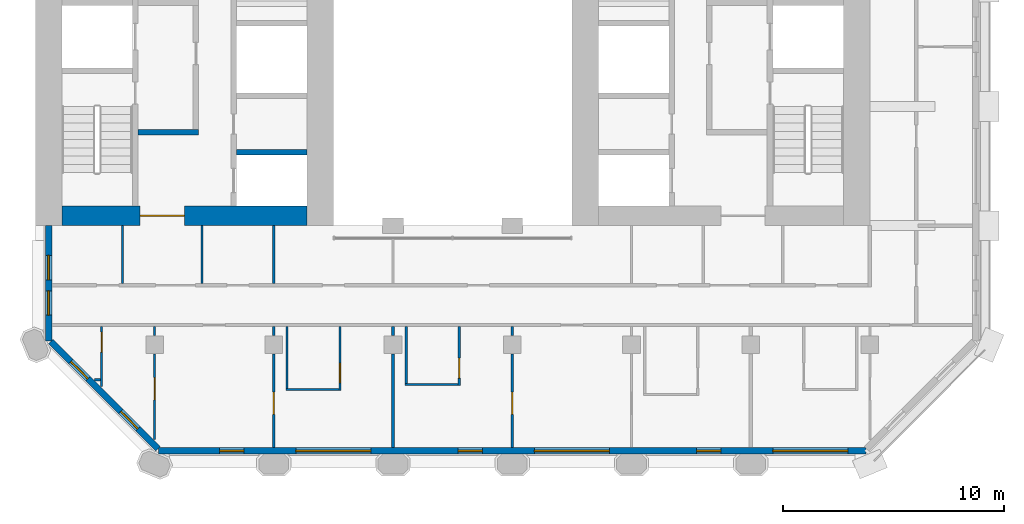
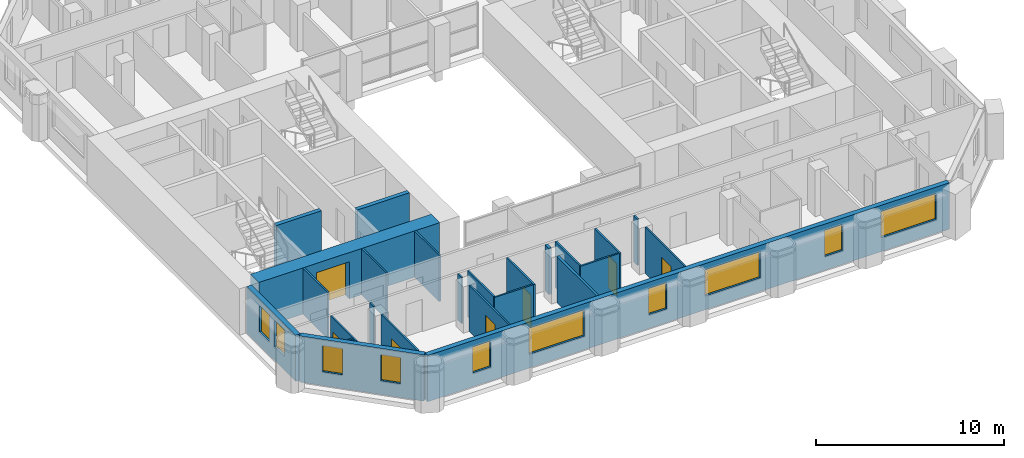
# One storey, part 4 of 13: 25 walls, 10 windows, 7 doors, 17 openings.
"""IFC4 building model written with IfcOpenShell, lengths in metres."""

from ifc_helpers import new_model, si_unit, direction, frame, frame_2d, origin, place, context, subcontext, project, spatial, rectangle, extrude, material, layer, layer_set, type_object, element, fill, save


model = new_model("IFC4")

# Units and contexts
model_context = context("Model", 3, precision=1e-05, world=origin(), true_north=direction((0.0, 1.0)))
body_context = subcontext(model_context, "Body", "Model", "MODEL_VIEW")
ifc_project = project(units=[si_unit("LENGTHUNIT", "METRE"), si_unit("AREAUNIT", "SQUARE_METRE"), si_unit("VOLUMEUNIT", "CUBIC_METRE"), si_unit("PLANEANGLEUNIT", "RADIAN"), si_unit("MASSUNIT", "GRAM", prefix="KILO")], contexts=[model_context])

# Site, building, storey
site_placement = place(None, origin())
site = spatial("IfcSite", under=ifc_project, at=site_placement, CompositionType="ELEMENT")
building_placement = place(site_placement, origin())
building = spatial("IfcBuilding", under=site, at=building_placement, Name="Tabaq Tower and Sports Hall", CompositionType="ELEMENT")
storey_placement = place(building_placement, frame((0.0, 0.0, 203.800048828125)))
storey = spatial("IfcBuildingStorey", under=building, at=storey_placement, Name="L50", CompositionType="ELEMENT", Elevation=203.800048828125)

# Wall, opening, door
ifc_material_1 = material(Name="Concrete C50/60", Category="concrete")
ifc_layer_1 = layer(ifc_material_1, 0.89990234375)
ifc_layer_set_1 = layer_set([ifc_layer_1], Name="Core wall 900 Concrete C50/60")
wall_type_1 = type_object("IfcWallType", Name="Core wall 900 Concrete C50/60", PredefinedType="SOLIDWALL", material=ifc_layer_set_1)
wall_1_placement = place(storey_placement, frame((17.699951171875, 16.64990234375, 0.0), z_axis=(0.0, 0.0, 1.0), x_axis=(-1.0, 0.0, 0.0)))
wall_1 = element("IfcWall", 1, at=wall_1_placement, inside=storey, type_object=wall_type_1, Name="Core wall W L50", PredefinedType="SOLIDWALL", context=body_context, shape_type="SweptSolid", body=[
    extrude(rectangle(XDim=11.099853515625, YDim=0.89990234375, at=frame_2d((5.5498046875, 0.0))), origin(), (0.0, 0.0, 1.0), 3.0),
])
opening_1_placement = place(wall_1_placement, frame((5.550048828125, 0.0, 0.0)))
opening_1 = element("IfcOpeningElement", 2, at=opening_1_placement, cuts=wall_1, Name="Opening PD-WL50-01", PredefinedType="OPENING", context=body_context, shape_type="SweptSolid", body=[
    extrude(rectangle(XDim=2.0, YDim=2.39990234375, at=frame_2d((1.0, 1.199951171875))), frame((0.0, 0.449951171875, 0.0), z_axis=(0.0, -1.0, 0.0), x_axis=(1.0, 0.0, 0.0)), (0.0, 0.0, 1.0), 0.89990234375),
])
ifc_material_2 = material(Name="Steel fire door", Category="steel")
door_type_1 = type_object("IfcDoorType", Name="Core entrance door 2000", OperationType="DOUBLE_DOOR_SINGLE_SWING", PredefinedType="DOOR", material=ifc_material_2)
door_1_placement = place(opening_1_placement, origin())
door_1 = element("IfcDoor", 3, at=door_1_placement, inside=storey, type_object=door_type_1, Name="Core entrance south W L50", OperationType="DOUBLE_DOOR_SINGLE_SWING", OverallHeight=2.39990234375, OverallWidth=2.0, PredefinedType="DOOR", context=body_context, shape_type="SweptSolid", body=[
    extrude(rectangle(XDim=2.0, YDim=2.39990234375, at=frame_2d((1.0, 1.199951171875))), frame((0.0, 0.02490234375, 0.0), z_axis=(0.0, -1.0, 0.0), x_axis=(1.0, 0.0, 0.0)), (0.0, 0.0, 1.0), 0.050048828125),
])
fill(opening_1, door_1)

ifc_material_3 = material(Name="Gypsum board on steel studs", Category="steel")
ifc_layer_2 = layer(ifc_material_3, 0.10009765625)
ifc_layer_set_2 = layer_set([ifc_layer_2], Name="Partition 100 Gypsum board")
wall_type_2 = type_object("IfcWallType", Name="Partition 100 Gypsum board", PredefinedType="PARTITIONING", material=ifc_layer_set_2)
wall_2_placement = place(storey_placement, frame((10.800048828125, 6.51220703125, 0.0), z_axis=(0.0, 0.0, 1.0), x_axis=(0.0, 1.0, 0.0)))
wall_2 = element("IfcWall", 4, at=wall_2_placement, inside=storey, type_object=wall_type_2, Name="Partition wall L50", PredefinedType="PARTITIONING", context=body_context, shape_type="SweptSolid", body=[
    extrude(rectangle(XDim=3.86767578125, YDim=0.10009765625, at=frame_2d((1.933837890625, 0.0))), origin(), (0.0, 0.0, 1.0), 3.0),
])
opening_2_placement = place(wall_2_placement, frame((1.80029296875, 0.0, 0.0)))
opening_2 = element("IfcOpeningElement", 5, at=opening_2_placement, cuts=wall_2, Name="Opening L50-043", PredefinedType="OPENING", context=body_context, shape_type="SweptSolid", body=[
    extrude(rectangle(XDim=1.0, YDim=2.10009765625, at=frame_2d((0.5, 1.050048828125))), frame((0.0, 0.050048828125, 0.0), z_axis=(0.0, -1.0, 0.0), x_axis=(1.0, 0.0, 0.0)), (0.0, 0.0, 1.0), 0.10009765625),
])
ifc_material_4 = material(Name="Timber leaf in steel frame", Category="steel")
door_type_2 = type_object("IfcDoorType", Name="Internal door 1000 left hand", OperationType="SINGLE_SWING_LEFT", PredefinedType="DOOR", material=ifc_material_4)
door_2_placement = place(opening_2_placement, origin())
door_2 = element("IfcDoor", 6, at=door_2_placement, inside=storey, type_object=door_type_2, Name="Internal door L50-043", OperationType="SINGLE_SWING_LEFT", OverallHeight=2.10009765625, OverallWidth=1.0, PredefinedType="DOOR", context=body_context, shape_type="SweptSolid", body=[
    extrude(rectangle(XDim=1.0, YDim=2.10009765625, at=frame_2d((0.5, 1.050048828125))), frame((0.0, 0.02490234375, 0.0), z_axis=(0.0, -1.0, 0.0), x_axis=(1.0, 0.0, 0.0)), (0.0, 0.0, 1.0), 0.050048828125),
])
fill(opening_2, door_2)

# Wall
wall_3_placement = place(storey_placement, frame((10.800048828125, 11.219970703125, 0.0), z_axis=(0.0, 0.0, 1.0), x_axis=(0.0, 1.0, 0.0)))
element("IfcWall", 7, at=wall_3_placement, inside=storey, type_object=wall_type_2, Name="Partition wall L50", PredefinedType="PARTITIONING", context=body_context, shape_type="SweptSolid", body=[
    extrude(rectangle(XDim=0.405029296875, YDim=0.10009765625, at=frame_2d((0.20263671875, 0.0))), origin(), (0.0, 0.0, 1.0), 3.0),
])

# Wall, opening, door
wall_4_placement = place(storey_placement, frame((8.39990234375, 11.625, 0.0), z_axis=(0.0, 0.0, 1.0), x_axis=(0.0, -1.0, 0.0)))
wall_4 = element("IfcWall", 8, at=wall_4_placement, inside=storey, type_object=wall_type_2, Name="Partition wall L50", PredefinedType="PARTITIONING", context=body_context, shape_type="SweptSolid", body=[
    extrude(rectangle(XDim=2.71435546875, YDim=0.10009765625, at=frame_2d((1.357177734375, 0.0))), origin(), (0.0, 0.0, 1.0), 3.0),
])
opening_3_placement = place(wall_4_placement, frame((0.25, 0.0, 0.0)))
opening_3 = element("IfcOpeningElement", 9, at=opening_3_placement, cuts=wall_4, Name="Opening L50-019", PredefinedType="OPENING", context=body_context, shape_type="SweptSolid", body=[
    extrude(rectangle(XDim=0.89990234375, YDim=2.10009765625, at=frame_2d((0.449951171875, 1.050048828125))), frame((0.0, 0.050048828125, 0.0), z_axis=(0.0, -1.0, 0.0), x_axis=(1.0, 0.0, 0.0)), (0.0, 0.0, 1.0), 0.10009765625),
])
ifc_material_5 = material(Name="Timber leaf in steel frame", Category="steel")
door_type_3 = type_object("IfcDoorType", Name="Internal door 900 left hand", OperationType="SINGLE_SWING_LEFT", PredefinedType="DOOR", material=ifc_material_5)
door_3_placement = place(opening_3_placement, origin())
door_3 = element("IfcDoor", 10, at=door_3_placement, inside=storey, type_object=door_type_3, Name="Internal door L50-019", OperationType="SINGLE_SWING_LEFT", OverallHeight=2.10009765625, OverallWidth=0.89990234375, PredefinedType="DOOR", context=body_context, shape_type="SweptSolid", body=[
    extrude(rectangle(XDim=0.89990234375, YDim=2.10009765625, at=frame_2d((0.449951171875, 1.050048828125))), frame((0.0, 0.02490234375, 0.0), z_axis=(0.0, -1.0, 0.0), x_axis=(1.0, 0.0, 0.0)), (0.0, 0.0, 1.0), 0.050048828125),
])
fill(opening_3, door_3)

# Wall
wall_5_placement = place(storey_placement, frame((8.35009765625, 9.22509765625, 0.0), z_axis=(0.0, 0.0, 1.0), x_axis=(-1.0, 0.0, 0.0)))
element("IfcWall", 11, at=wall_5_placement, inside=storey, type_object=wall_type_2, Name="Partition wall L50", PredefinedType="PARTITIONING", context=body_context, shape_type="SweptSolid", body=[
    extrude(rectangle(XDim=0.262939453125, YDim=0.10009765625, at=frame_2d((0.13134765625, 0.0))), origin(), (0.0, 0.0, 1.0), 3.0),
])

# Wall, opening, door
wall_6_placement = place(storey_placement, frame((19.199951171875, 11.625, 0.0), z_axis=(0.0, 0.0, 1.0), x_axis=(0.0, -1.0, 0.0)))
wall_6 = element("IfcWall", 12, at=wall_6_placement, inside=storey, type_object=wall_type_2, Name="Partition wall L50", PredefinedType="PARTITIONING", context=body_context, shape_type="SweptSolid", body=[
    extrude(rectangle(XDim=2.89990234375, YDim=0.10009765625, at=frame_2d((1.449951171875, 0.0))), origin(), (0.0, 0.0, 1.0), 3.0),
])
opening_4_placement = place(wall_6_placement, frame((1.64990234375, 0.0, 0.0)))
opening_4 = element("IfcOpeningElement", 13, at=opening_4_placement, cuts=wall_6, Name="Opening L50-020", PredefinedType="OPENING", context=body_context, shape_type="SweptSolid", body=[
    extrude(rectangle(XDim=0.89990234375, YDim=2.10009765625, at=frame_2d((0.449951171875, 1.050048828125))), frame((0.0, 0.050048828125, 0.0), z_axis=(0.0, -1.0, 0.0), x_axis=(1.0, 0.0, 0.0)), (0.0, 0.0, 1.0), 0.10009765625),
])
ifc_material_6 = material(Name="Timber leaf in steel frame", Category="steel")
door_type_4 = type_object("IfcDoorType", Name="Internal door 900 right hand", OperationType="SINGLE_SWING_RIGHT", PredefinedType="DOOR", material=ifc_material_6)
door_4_placement = place(opening_4_placement, origin())
door_4 = element("IfcDoor", 14, at=door_4_placement, inside=storey, type_object=door_type_4, Name="Internal door L50-020", OperationType="SINGLE_SWING_RIGHT", OverallHeight=2.10009765625, OverallWidth=0.89990234375, PredefinedType="DOOR", context=body_context, shape_type="SweptSolid", body=[
    extrude(rectangle(XDim=0.89990234375, YDim=2.10009765625, at=frame_2d((0.449951171875, 1.050048828125))), frame((0.0, 0.02490234375, 0.0), z_axis=(0.0, -1.0, 0.0), x_axis=(1.0, 0.0, 0.0)), (0.0, 0.0, 1.0), 0.050048828125),
])
fill(opening_4, door_4)

# Walls
wall_7_placement = place(storey_placement, frame((19.14990234375, 8.77490234375, 0.0), z_axis=(0.0, 0.0, 1.0), x_axis=(-1.0, 0.0, 0.0)))
element("IfcWall", 15, at=wall_7_placement, inside=storey, type_object=wall_type_2, Name="Partition wall L50", PredefinedType="PARTITIONING", context=body_context, shape_type="SweptSolid", body=[
    extrude(rectangle(XDim=2.39990234375, YDim=0.10009765625, at=frame_2d((1.199951171875, 0.0))), origin(), (0.0, 0.0, 1.0), 3.0),
])
wall_8_placement = place(storey_placement, frame((16.800048828125, 8.824951171875, 0.0), z_axis=(0.0, 0.0, 1.0), x_axis=(0.0, 1.0, 0.0)))
element("IfcWall", 16, at=wall_8_placement, inside=storey, type_object=wall_type_2, Name="Partition wall L50", PredefinedType="PARTITIONING", context=body_context, shape_type="SweptSolid", body=[
    extrude(rectangle(XDim=2.800048828125, YDim=0.10009765625, at=frame_2d((1.39990234375, 0.0))), origin(), (0.0, 0.0, 1.0), 3.0),
])
wall_9_placement = place(storey_placement, frame((16.199951171875, 11.625, 0.0), z_axis=(0.0, 0.0, 1.0), x_axis=(0.0, -1.0, 0.0)))
element("IfcWall", 17, at=wall_9_placement, inside=storey, type_object=wall_type_2, Name="Partition wall L50", PredefinedType="PARTITIONING", context=body_context, shape_type="SweptSolid", body=[
    extrude(rectangle(XDim=0.405029296875, YDim=0.10009765625, at=frame_2d((0.20263671875, 0.0))), origin(), (0.0, 0.0, 1.0), 3.0),
])

# Wall, opening, door
wall_10_placement = place(storey_placement, frame((16.199951171875, 10.3798828125, 0.0), z_axis=(0.0, 0.0, 1.0), x_axis=(0.0, -1.0, 0.0)))
wall_10 = element("IfcWall", 18, at=wall_10_placement, inside=storey, type_object=wall_type_2, Name="Partition wall L50", PredefinedType="PARTITIONING", context=body_context, shape_type="SweptSolid", body=[
    extrude(rectangle(XDim=4.22900390625, YDim=0.10009765625, at=frame_2d((2.114501953125, 0.0))), origin(), (0.0, 0.0, 1.0), 3.0),
])
opening_5_placement = place(wall_10_placement, frame((1.721923828125, 0.0, 0.0)))
opening_5 = element("IfcOpeningElement", 19, at=opening_5_placement, cuts=wall_10, Name="Opening L50-044", PredefinedType="OPENING", context=body_context, shape_type="SweptSolid", body=[
    extrude(rectangle(XDim=1.0, YDim=2.10009765625, at=frame_2d((0.5, 1.050048828125))), frame((0.0, 0.050048828125, 0.0), z_axis=(0.0, -1.0, 0.0), x_axis=(1.0, 0.0, 0.0)), (0.0, 0.0, 1.0), 0.10009765625),
])
door_5_placement = place(opening_5_placement, origin())
door_5 = element("IfcDoor", 20, at=door_5_placement, inside=storey, type_object=door_type_2, Name="Internal door L50-044", OperationType="SINGLE_SWING_LEFT", OverallHeight=2.10009765625, OverallWidth=1.0, PredefinedType="DOOR", context=body_context, shape_type="SweptSolid", body=[
    extrude(rectangle(XDim=1.0, YDim=2.10009765625, at=frame_2d((0.5, 1.050048828125))), frame((0.0, 0.02490234375, 0.0), z_axis=(0.0, -1.0, 0.0), x_axis=(1.0, 0.0, 0.0)), (0.0, 0.0, 1.0), 0.050048828125),
])
fill(opening_5, door_5)

wall_11_placement = place(storey_placement, frame((27.0, 6.15087890625, 0.0), z_axis=(0.0, 0.0, 1.0), x_axis=(0.0, 1.0, 0.0)))
wall_11 = element("IfcWall", 21, at=wall_11_placement, inside=storey, type_object=wall_type_2, Name="Partition wall L50", PredefinedType="PARTITIONING", context=body_context, shape_type="SweptSolid", body=[
    extrude(rectangle(XDim=4.22900390625, YDim=0.10009765625, at=frame_2d((2.114501953125, 0.0))), origin(), (0.0, 0.0, 1.0), 3.0),
])
opening_6_placement = place(wall_11_placement, frame((1.507080078125, 0.0, 0.0)))
opening_6 = element("IfcOpeningElement", 22, at=opening_6_placement, cuts=wall_11, Name="Opening L50-045", PredefinedType="OPENING", context=body_context, shape_type="SweptSolid", body=[
    extrude(rectangle(XDim=1.0, YDim=2.10009765625, at=frame_2d((0.5, 1.050048828125))), frame((0.0, 0.050048828125, 0.0), z_axis=(0.0, -1.0, 0.0), x_axis=(1.0, 0.0, 0.0)), (0.0, 0.0, 1.0), 0.10009765625),
])
door_6_placement = place(opening_6_placement, origin())
door_6 = element("IfcDoor", 23, at=door_6_placement, inside=storey, type_object=door_type_2, Name="Internal door L50-045", OperationType="SINGLE_SWING_LEFT", OverallHeight=2.10009765625, OverallWidth=1.0, PredefinedType="DOOR", context=body_context, shape_type="SweptSolid", body=[
    extrude(rectangle(XDim=1.0, YDim=2.10009765625, at=frame_2d((0.5, 1.050048828125))), frame((0.0, 0.02490234375, 0.0), z_axis=(0.0, -1.0, 0.0), x_axis=(1.0, 0.0, 0.0)), (0.0, 0.0, 1.0), 0.050048828125),
])
fill(opening_6, door_6)

# Wall
wall_12_placement = place(storey_placement, frame((27.0, 11.219970703125, 0.0), z_axis=(0.0, 0.0, 1.0), x_axis=(0.0, 1.0, 0.0)))
element("IfcWall", 24, at=wall_12_placement, inside=storey, type_object=wall_type_2, Name="Partition wall L50", PredefinedType="PARTITIONING", context=body_context, shape_type="SweptSolid", body=[
    extrude(rectangle(XDim=0.405029296875, YDim=0.10009765625, at=frame_2d((0.20263671875, 0.0))), origin(), (0.0, 0.0, 1.0), 3.0),
])

# Wall, opening, door
wall_13_placement = place(storey_placement, frame((24.60009765625, 11.625, 0.0), z_axis=(0.0, 0.0, 1.0), x_axis=(0.0, -1.0, 0.0)))
wall_13 = element("IfcWall", 25, at=wall_13_placement, inside=storey, type_object=wall_type_2, Name="Partition wall L50", PredefinedType="PARTITIONING", context=body_context, shape_type="SweptSolid", body=[
    extrude(rectangle(XDim=2.675048828125, YDim=0.10009765625, at=frame_2d((1.33740234375, 0.0))), origin(), (0.0, 0.0, 1.0), 3.0),
])
opening_7_placement = place(wall_13_placement, frame((1.425048828125, 0.0, 0.0)))
opening_7 = element("IfcOpeningElement", 26, at=opening_7_placement, cuts=wall_13, Name="Opening L50-021", PredefinedType="OPENING", context=body_context, shape_type="SweptSolid", body=[
    extrude(rectangle(XDim=0.89990234375, YDim=2.10009765625, at=frame_2d((0.449951171875, 1.050048828125))), frame((0.0, 0.050048828125, 0.0), z_axis=(0.0, -1.0, 0.0), x_axis=(1.0, 0.0, 0.0)), (0.0, 0.0, 1.0), 0.10009765625),
])
door_7_placement = place(opening_7_placement, origin())
door_7 = element("IfcDoor", 27, at=door_7_placement, inside=storey, type_object=door_type_3, Name="Internal door L50-021", OperationType="SINGLE_SWING_LEFT", OverallHeight=2.10009765625, OverallWidth=0.89990234375, PredefinedType="DOOR", context=body_context, shape_type="SweptSolid", body=[
    extrude(rectangle(XDim=0.89990234375, YDim=2.10009765625, at=frame_2d((0.449951171875, 1.050048828125))), frame((0.0, 0.02490234375, 0.0), z_axis=(0.0, -1.0, 0.0), x_axis=(1.0, 0.0, 0.0)), (0.0, 0.0, 1.0), 0.050048828125),
])
fill(opening_7, door_7)

# Walls
wall_14_placement = place(storey_placement, frame((24.550048828125, 9.0, 0.0), z_axis=(0.0, 0.0, 1.0), x_axis=(-1.0, 0.0, 0.0)))
element("IfcWall", 28, at=wall_14_placement, inside=storey, type_object=wall_type_2, Name="Partition wall L50", PredefinedType="PARTITIONING", context=body_context, shape_type="SweptSolid", body=[
    extrude(rectangle(XDim=2.400146484375, YDim=0.10009765625, at=frame_2d((1.2001953125, 0.0))), origin(), (0.0, 0.0, 1.0), 3.0),
])
wall_15_placement = place(storey_placement, frame((22.199951171875, 9.050048828125, 0.0), z_axis=(0.0, 0.0, 1.0), x_axis=(0.0, 1.0, 0.0)))
element("IfcWall", 29, at=wall_15_placement, inside=storey, type_object=wall_type_2, Name="Partition wall L50", PredefinedType="PARTITIONING", context=body_context, shape_type="SweptSolid", body=[
    extrude(rectangle(XDim=2.574951171875, YDim=0.10009765625, at=frame_2d((1.28759765625, 0.0))), origin(), (0.0, 0.0, 1.0), 3.0),
])
for number, where, z_axis, x_axis, name in (
    (30, (16.199951171875, 16.199951171875, 0.0), (0.0, 0.0, 1.0), (0.0, -1.0, 0.0), "Partition wall L50"),
    (31, (9.35009765625, 16.199951171875, 0.0), (0.0, 0.0, 1.0), (0.0, -1.0, 0.0), "Partition wall L50"),
    (32, (12.949951171875, 13.574951171875, 0.0), (0.0, 0.0, 1.0), (0.0, 1.0, 0.0), "Partition wall L50"),
):
    element("IfcWall", number, at=place(storey_placement, frame(where, z_axis=z_axis, x_axis=x_axis)), inside=storey, type_object=wall_type_2, Name=name, PredefinedType="PARTITIONING", context=body_context, shape_type="SweptSolid", body=[
        extrude(rectangle(XDim=2.625, YDim=0.10009765625, at=frame_2d((1.3125, 0.0))), origin(), (0.0, 0.0, 1.0), 3.0),
    ])
ifc_material_7 = material(Name="Blockwork", Category="masonry")
ifc_layer_3 = layer(ifc_material_7, 0.14990234375)
ifc_layer_set_3 = layer_set([ifc_layer_3], Name="Separating wall 150 Blockwork")
wall_type_3 = type_object("IfcWallType", Name="Separating wall 150 Blockwork", PredefinedType="PARTITIONING", material=ifc_layer_set_3)
wall_16_placement = place(storey_placement, frame((21.60009765625, 6.15087890625, 0.0), z_axis=(0.0, 0.0, 1.0), x_axis=(0.0, 1.0, 0.0)))
element("IfcWall", 33, at=wall_16_placement, inside=storey, type_object=wall_type_3, Name="Separating wall L50", PredefinedType="PARTITIONING", context=body_context, shape_type="SweptSolid", body=[
    extrude(rectangle(XDim=4.22900390625, YDim=0.14990234375, at=frame_2d((2.114501953125, 0.0))), origin(), (0.0, 0.0, 1.0), 3.0),
])
wall_17_placement = place(storey_placement, frame((21.60009765625, 11.219970703125, 0.0), z_axis=(0.0, 0.0, 1.0), x_axis=(0.0, 1.0, 0.0)))
element("IfcWall", 34, at=wall_17_placement, inside=storey, type_object=wall_type_3, Name="Separating wall L50", PredefinedType="PARTITIONING", context=body_context, shape_type="SweptSolid", body=[
    extrude(rectangle(XDim=0.405029296875, YDim=0.14990234375, at=frame_2d((0.20263671875, 0.0))), origin(), (0.0, 0.0, 1.0), 3.0),
])
ifc_material_8 = material(Name="Concrete C40/50", Category="concrete")
ifc_layer_4 = layer(ifc_material_8, 0.25)
ifc_layer_set_4 = layer_set([ifc_layer_4], Name="Shaft and stair wall 250 Concrete C40/50")
wall_type_4 = type_object("IfcWallType", Name="Shaft and stair wall 250 Concrete C40/50", PredefinedType="SOLIDWALL", material=ifc_layer_set_4)
wall_18_placement = place(storey_placement, frame((10.050048828125, 20.425048828125, 0.0), z_axis=(0.0, 0.0, 1.0), x_axis=(1.0, 0.0, 0.0)))
element("IfcWall", 35, at=wall_18_placement, inside=storey, type_object=wall_type_4, Name="Fire-fighting lobby wall W L50", PredefinedType="SOLIDWALL", context=body_context, shape_type="SweptSolid", body=[
    extrude(rectangle(XDim=2.75, YDim=0.25, at=frame_2d((1.375, 0.0))), origin(), (0.0, 0.0, 1.0), 3.0),
])
wall_19_placement = place(storey_placement, frame((14.5, 19.52490234375, 0.0), z_axis=(0.0, 0.0, 1.0), x_axis=(1.0, 0.0, 0.0)))
element("IfcWall", 36, at=wall_19_placement, inside=storey, type_object=wall_type_4, Name="Shaft wall W L50", PredefinedType="SOLIDWALL", context=body_context, shape_type="SweptSolid", body=[
    extrude(rectangle(XDim=3.199951171875, YDim=0.25, at=frame_2d((1.60009765625, 0.0))), origin(), (0.0, 0.0, 1.0), 3.0),
])

# Wall, openings, windows
ifc_material_9 = material(Name="White precast concrete C60/75", Category="concrete")
ifc_layer_5 = layer(ifc_material_9, 0.300048828125)
ifc_layer_set_5 = layer_set([ifc_layer_5], Name="White precast concrete C60/75 external wall 300")
wall_type_5 = type_object("IfcWallType", Name="White precast concrete C60/75 external wall 300", PredefinedType="SOLIDWALL", material=ifc_layer_set_5)
wall_20_placement = place(storey_placement, frame((10.986328125, 6.0, 0.0), z_axis=(0.0, 0.0, 1.0), x_axis=(1.0, 0.0, 0.0)))
wall_20 = element("IfcWall", 37, at=wall_20_placement, inside=storey, type_object=wall_type_5, Name="External Wall L50 S", PredefinedType="SOLIDWALL", context=body_context, shape_type="SweptSolid", body=[
    extrude(rectangle(XDim=32.02734375, YDim=0.300048828125, at=frame_2d((16.013671875, 0.0))), origin(), (0.0, 0.0, 1.0), 3.0),
])
opening_8_placement = place(wall_20_placement, frame((2.763671875, 0.0, 0.89990234375)))
opening_8 = element("IfcOpeningElement", 38, at=opening_8_placement, cuts=wall_20, Name="Opening W1B", PredefinedType="OPENING", context=body_context, shape_type="SweptSolid", body=[
    extrude(rectangle(XDim=1.10009765625, YDim=1.699951171875, at=frame_2d((0.550048828125, 0.85009765625))), frame((0.0, 0.16015625, 0.0), z_axis=(0.0, -1.0, 0.0), x_axis=(1.0, 0.0, 0.0)), (0.0, 0.0, 1.0), 0.320068359375),
])
opening_9_placement = place(wall_20_placement, frame((6.213623046875, 0.0, 0.89990234375)))
opening_9 = element("IfcOpeningElement", 39, at=opening_9_placement, cuts=wall_20, Name="Opening W1A", PredefinedType="OPENING", context=body_context, shape_type="SweptSolid", body=[
    extrude(rectangle(XDim=3.39990234375, YDim=1.699951171875, at=frame_2d((1.699951171875, 0.85009765625))), frame((0.0, 0.16015625, 0.0), z_axis=(0.0, -1.0, 0.0), x_axis=(1.0, 0.0, 0.0)), (0.0, 0.0, 1.0), 0.320068359375),
])
opening_10_placement = place(wall_20_placement, frame((13.563720703125, 0.0, 0.89990234375)))
opening_10 = element("IfcOpeningElement", 40, at=opening_10_placement, cuts=wall_20, Name="Opening W1B", PredefinedType="OPENING", context=body_context, shape_type="SweptSolid", body=[
    extrude(rectangle(XDim=1.10009765625, YDim=1.699951171875, at=frame_2d((0.550048828125, 0.85009765625))), frame((0.0, 0.16015625, 0.0), z_axis=(0.0, -1.0, 0.0), x_axis=(1.0, 0.0, 0.0)), (0.0, 0.0, 1.0), 0.320068359375),
])
opening_11_placement = place(wall_20_placement, frame((17.013671875, 0.0, 0.89990234375)))
opening_11 = element("IfcOpeningElement", 41, at=opening_11_placement, cuts=wall_20, Name="Opening W1A", PredefinedType="OPENING", context=body_context, shape_type="SweptSolid", body=[
    extrude(rectangle(XDim=3.39990234375, YDim=1.699951171875, at=frame_2d((1.699951171875, 0.85009765625))), frame((0.0, 0.16015625, 0.0), z_axis=(0.0, -1.0, 0.0), x_axis=(1.0, 0.0, 0.0)), (0.0, 0.0, 1.0), 0.320068359375),
])
opening_12_placement = place(wall_20_placement, frame((24.363525390625, 0.0, 0.89990234375)))
opening_12 = element("IfcOpeningElement", 42, at=opening_12_placement, cuts=wall_20, Name="Opening W1B", PredefinedType="OPENING", context=body_context, shape_type="SweptSolid", body=[
    extrude(rectangle(XDim=1.10009765625, YDim=1.699951171875, at=frame_2d((0.550048828125, 0.85009765625))), frame((0.0, 0.16015625, 0.0), z_axis=(0.0, -1.0, 0.0), x_axis=(1.0, 0.0, 0.0)), (0.0, 0.0, 1.0), 0.320068359375),
])
opening_13_placement = place(wall_20_placement, frame((27.813720703125, 0.0, 0.89990234375)))
opening_13 = element("IfcOpeningElement", 43, at=opening_13_placement, cuts=wall_20, Name="Opening W1A", PredefinedType="OPENING", context=body_context, shape_type="SweptSolid", body=[
    extrude(rectangle(XDim=3.39990234375, YDim=1.699951171875, at=frame_2d((1.699951171875, 0.85009765625))), frame((0.0, 0.16015625, 0.0), z_axis=(0.0, -1.0, 0.0), x_axis=(1.0, 0.0, 0.0)), (0.0, 0.0, 1.0), 0.320068359375),
])
ifc_material_10 = material(Name="Aluminium framed clear glazing", Category="aluminium")
window_type_1 = type_object("IfcWindowType", Name="Window W1A", PartitioningType="SINGLE_PANEL", PredefinedType="WINDOW", material=ifc_material_10)
window_1_placement = place(opening_9_placement, origin())
window_1 = element("IfcWindow", 44, at=window_1_placement, inside=storey, type_object=window_type_1, Name="Window W1A L50", OverallHeight=1.699951171875, OverallWidth=3.39990234375, PartitioningType="SINGLE_PANEL", PredefinedType="WINDOW", context=body_context, shape_type="SweptSolid", body=[
    extrude(rectangle(XDim=3.39990234375, YDim=1.699951171875, at=frame_2d((1.699951171875, 0.85009765625))), frame((0.0, 0.030029296875, 0.0), z_axis=(0.0, -1.0, 0.0), x_axis=(1.0, 0.0, 0.0)), (0.0, 0.0, 1.0), 0.06005859375),
])
fill(opening_9, window_1)
window_2_placement = place(opening_11_placement, origin())
window_2 = element("IfcWindow", 45, at=window_2_placement, inside=storey, type_object=window_type_1, Name="Window W1A L50", OverallHeight=1.699951171875, OverallWidth=3.39990234375, PartitioningType="SINGLE_PANEL", PredefinedType="WINDOW", context=body_context, shape_type="SweptSolid", body=[
    extrude(rectangle(XDim=3.39990234375, YDim=1.699951171875, at=frame_2d((1.699951171875, 0.85009765625))), frame((0.0, 0.030029296875, 0.0), z_axis=(0.0, -1.0, 0.0), x_axis=(1.0, 0.0, 0.0)), (0.0, 0.0, 1.0), 0.06005859375),
])
fill(opening_11, window_2)
window_3_placement = place(opening_13_placement, origin())
window_3 = element("IfcWindow", 46, at=window_3_placement, inside=storey, type_object=window_type_1, Name="Window W1A L50", OverallHeight=1.699951171875, OverallWidth=3.39990234375, PartitioningType="SINGLE_PANEL", PredefinedType="WINDOW", context=body_context, shape_type="SweptSolid", body=[
    extrude(rectangle(XDim=3.39990234375, YDim=1.699951171875, at=frame_2d((1.699951171875, 0.85009765625))), frame((0.0, 0.030029296875, 0.0), z_axis=(0.0, -1.0, 0.0), x_axis=(1.0, 0.0, 0.0)), (0.0, 0.0, 1.0), 0.06005859375),
])
fill(opening_13, window_3)
ifc_material_11 = material(Name="Aluminium framed clear glazing", Category="aluminium")
window_type_2 = type_object("IfcWindowType", Name="Window W1B", PartitioningType="SINGLE_PANEL", PredefinedType="WINDOW", material=ifc_material_11)
window_4_placement = place(opening_8_placement, origin())
window_4 = element("IfcWindow", 47, at=window_4_placement, inside=storey, type_object=window_type_2, Name="Window W1B L50", OverallHeight=1.699951171875, OverallWidth=1.10009765625, PartitioningType="SINGLE_PANEL", PredefinedType="WINDOW", context=body_context, shape_type="SweptSolid", body=[
    extrude(rectangle(XDim=1.10009765625, YDim=1.699951171875, at=frame_2d((0.550048828125, 0.85009765625))), frame((0.0, 0.030029296875, 0.0), z_axis=(0.0, -1.0, 0.0), x_axis=(1.0, 0.0, 0.0)), (0.0, 0.0, 1.0), 0.06005859375),
])
fill(opening_8, window_4)
window_5_placement = place(opening_10_placement, origin())
window_5 = element("IfcWindow", 48, at=window_5_placement, inside=storey, type_object=window_type_2, Name="Window W1B L50", OverallHeight=1.699951171875, OverallWidth=1.10009765625, PartitioningType="SINGLE_PANEL", PredefinedType="WINDOW", context=body_context, shape_type="SweptSolid", body=[
    extrude(rectangle(XDim=1.10009765625, YDim=1.699951171875, at=frame_2d((0.550048828125, 0.85009765625))), frame((0.0, 0.030029296875, 0.0), z_axis=(0.0, -1.0, 0.0), x_axis=(1.0, 0.0, 0.0)), (0.0, 0.0, 1.0), 0.06005859375),
])
fill(opening_10, window_5)
window_6_placement = place(opening_12_placement, origin())
window_6 = element("IfcWindow", 49, at=window_6_placement, inside=storey, type_object=window_type_2, Name="Window W1B L50", OverallHeight=1.699951171875, OverallWidth=1.10009765625, PartitioningType="SINGLE_PANEL", PredefinedType="WINDOW", context=body_context, shape_type="SweptSolid", body=[
    extrude(rectangle(XDim=1.10009765625, YDim=1.699951171875, at=frame_2d((0.550048828125, 0.85009765625))), frame((0.0, 0.030029296875, 0.0), z_axis=(0.0, -1.0, 0.0), x_axis=(1.0, 0.0, 0.0)), (0.0, 0.0, 1.0), 0.06005859375),
])
fill(opening_12, window_6)

wall_21_placement = place(storey_placement, frame((6.0, 16.199951171875, 0.0), z_axis=(0.0, 0.0, 1.0), x_axis=(0.0, -1.0, 0.0)))
wall_21 = element("IfcWall", 50, at=wall_21_placement, inside=storey, type_object=wall_type_5, Name="External Wall L50 W", PredefinedType="SOLIDWALL", context=body_context, shape_type="SweptSolid", body=[
    extrude(rectangle(XDim=5.213623046875, YDim=0.300048828125, at=frame_2d((2.60693359375, 0.0))), origin(), (0.0, 0.0, 1.0), 3.0),
])
opening_14_placement = place(wall_21_placement, frame((1.35009765625, 0.0, 0.89990234375)))
opening_14 = element("IfcOpeningElement", 51, at=opening_14_placement, cuts=wall_21, Name="Opening W1B", PredefinedType="OPENING", context=body_context, shape_type="SweptSolid", body=[
    extrude(rectangle(XDim=1.10009765625, YDim=1.699951171875, at=frame_2d((0.550048828125, 0.85009765625))), frame((0.0, 0.16015625, 0.0), z_axis=(0.0, -1.0, 0.0), x_axis=(1.0, 0.0, 0.0)), (0.0, 0.0, 1.0), 0.320068359375),
])
opening_15_placement = place(wall_21_placement, frame((2.949951171875, 0.0, 0.89990234375)))
opening_15 = element("IfcOpeningElement", 52, at=opening_15_placement, cuts=wall_21, Name="Opening W1B", PredefinedType="OPENING", context=body_context, shape_type="SweptSolid", body=[
    extrude(rectangle(XDim=1.10009765625, YDim=1.699951171875, at=frame_2d((0.550048828125, 0.85009765625))), frame((0.0, 0.16015625, 0.0), z_axis=(0.0, -1.0, 0.0), x_axis=(1.0, 0.0, 0.0)), (0.0, 0.0, 1.0), 0.320068359375),
])
window_7_placement = place(opening_14_placement, origin())
window_7 = element("IfcWindow", 53, at=window_7_placement, inside=storey, type_object=window_type_2, Name="Window W1B L50", OverallHeight=1.699951171875, OverallWidth=1.10009765625, PartitioningType="SINGLE_PANEL", PredefinedType="WINDOW", context=body_context, shape_type="SweptSolid", body=[
    extrude(rectangle(XDim=1.10009765625, YDim=1.699951171875, at=frame_2d((0.550048828125, 0.85009765625))), frame((0.0, 0.030029296875, 0.0), z_axis=(0.0, -1.0, 0.0), x_axis=(1.0, 0.0, 0.0)), (0.0, 0.0, 1.0), 0.06005859375),
])
fill(opening_14, window_7)
window_8_placement = place(opening_15_placement, origin())
window_8 = element("IfcWindow", 54, at=window_8_placement, inside=storey, type_object=window_type_2, Name="Window W1B L50", OverallHeight=1.699951171875, OverallWidth=1.10009765625, PartitioningType="SINGLE_PANEL", PredefinedType="WINDOW", context=body_context, shape_type="SweptSolid", body=[
    extrude(rectangle(XDim=1.10009765625, YDim=1.699951171875, at=frame_2d((0.550048828125, 0.85009765625))), frame((0.0, 0.030029296875, 0.0), z_axis=(0.0, -1.0, 0.0), x_axis=(1.0, 0.0, 0.0)), (0.0, 0.0, 1.0), 0.06005859375),
])
fill(opening_15, window_8)

wall_22_placement = place(storey_placement, frame((6.098876953125, 10.949462890625, 0.0), z_axis=(0.0, 0.0, 1.0), x_axis=(0.707106781187, -0.707106781187, 0.0)))
wall_22 = element("IfcWall", 55, at=wall_22_placement, inside=storey, type_object=wall_type_5, Name="External Wall L50 SW", PredefinedType="SOLIDWALL", context=body_context, shape_type="SweptSolid", body=[
    extrude(rectangle(XDim=6.85986328125, YDim=0.300048828125, at=frame_2d((3.429931640625, 0.0))), origin(), (0.0, 0.0, 1.0), 3.0),
])
opening_16_placement = place(wall_22_placement, frame((1.27978515625, 0.0, 0.89990234375)))
opening_16 = element("IfcOpeningElement", 56, at=opening_16_placement, cuts=wall_22, Name="Opening W1B", PredefinedType="OPENING", context=body_context, shape_type="SweptSolid", body=[
    extrude(rectangle(XDim=1.10009765625, YDim=1.699951171875, at=frame_2d((0.550048828125, 0.85009765625))), frame((0.0, 0.16015625, 0.0), z_axis=(0.0, -1.0, 0.0), x_axis=(1.0, 0.0, 0.0)), (0.0, 0.0, 1.0), 0.320068359375),
])
opening_17_placement = place(wall_22_placement, frame((4.479736328125, 0.0, 0.89990234375)))
opening_17 = element("IfcOpeningElement", 57, at=opening_17_placement, cuts=wall_22, Name="Opening W1B", PredefinedType="OPENING", context=body_context, shape_type="SweptSolid", body=[
    extrude(rectangle(XDim=1.10009765625, YDim=1.699951171875, at=frame_2d((0.550048828125, 0.85009765625))), frame((0.0, 0.16015625, 0.0), z_axis=(0.0, -1.0, 0.0), x_axis=(1.0, 0.0, 0.0)), (0.0, 0.0, 1.0), 0.320068359375),
])
window_9_placement = place(opening_16_placement, origin())
window_9 = element("IfcWindow", 58, at=window_9_placement, inside=storey, type_object=window_type_2, Name="Window W1B L50", OverallHeight=1.699951171875, OverallWidth=1.10009765625, PartitioningType="SINGLE_PANEL", PredefinedType="WINDOW", context=body_context, shape_type="SweptSolid", body=[
    extrude(rectangle(XDim=1.10009765625, YDim=1.699951171875, at=frame_2d((0.550048828125, 0.85009765625))), frame((0.0, 0.030029296875, 0.0), z_axis=(0.0, -1.0, 0.0), x_axis=(1.0, 0.0, 0.0)), (0.0, 0.0, 1.0), 0.06005859375),
])
fill(opening_16, window_9)
window_10_placement = place(opening_17_placement, origin())
window_10 = element("IfcWindow", 59, at=window_10_placement, inside=storey, type_object=window_type_2, Name="Window W1B L50", OverallHeight=1.699951171875, OverallWidth=1.10009765625, PartitioningType="SINGLE_PANEL", PredefinedType="WINDOW", context=body_context, shape_type="SweptSolid", body=[
    extrude(rectangle(XDim=1.10009765625, YDim=1.699951171875, at=frame_2d((0.550048828125, 0.85009765625))), frame((0.0, 0.030029296875, 0.0), z_axis=(0.0, -1.0, 0.0), x_axis=(1.0, 0.0, 0.0)), (0.0, 0.0, 1.0), 0.06005859375),
])
fill(opening_17, window_10)

save(model, "model.ifc")
